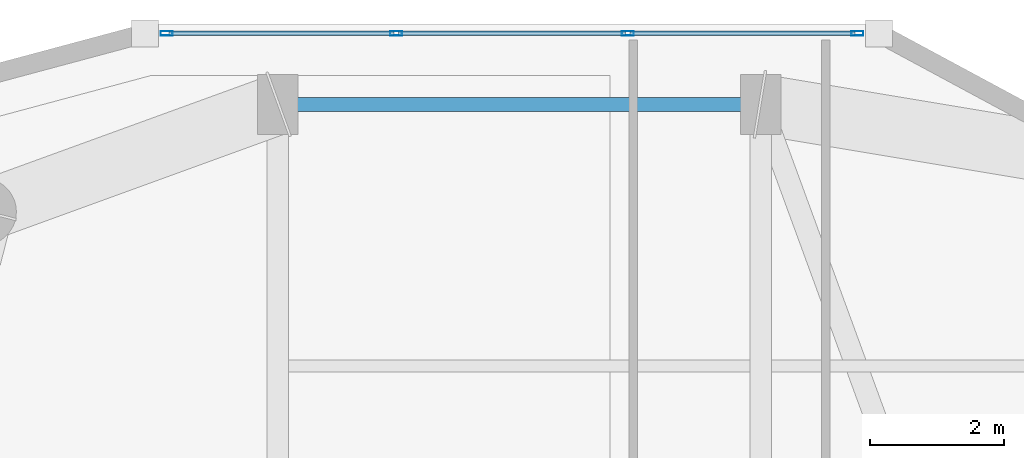
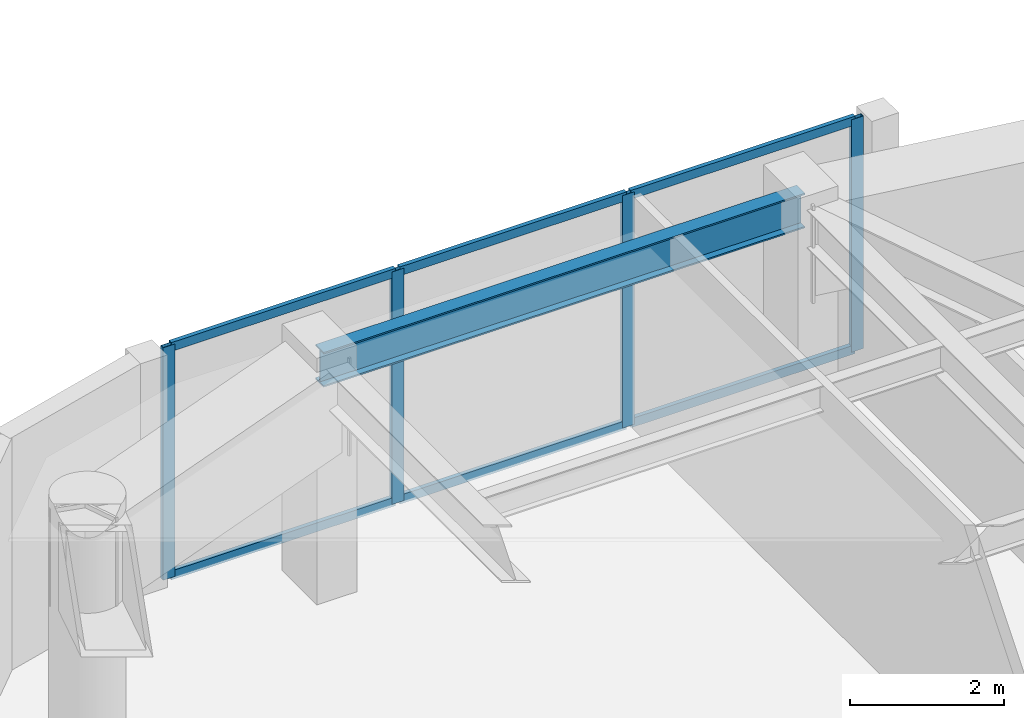
# One storey, part 10 of 21: 10 members, 1 beam, 1 element without a shape of its own.
"""IFC4 building model written with IfcOpenShell, lengths in metres."""

from ifc_helpers import new_model, si_unit, direction, frame, origin, origin_2d, place, context, subcontext, project, spatial, hollow_rectangle, i_section, extrude, material, layer, layer_set, material_profile, profile_set, type_object, element, aggregate, save


model = new_model("IFC4")

# Units and contexts
model_context = context("Model", 3, precision=1e-05, world=origin(), true_north=direction((0.0, 1.0)))
body_context = subcontext(model_context, "Body", "Model", "MODEL_VIEW")
ifc_project = project(units=[si_unit("LENGTHUNIT", "METRE"), si_unit("AREAUNIT", "SQUARE_METRE"), si_unit("VOLUMEUNIT", "CUBIC_METRE"), si_unit("PLANEANGLEUNIT", "RADIAN"), si_unit("MASSUNIT", "GRAM", prefix="KILO")], contexts=[model_context])

# Site, building, storey
site_placement = place(None, origin())
site = spatial("IfcSite", under=ifc_project, at=site_placement, CompositionType="ELEMENT")
building_placement = place(site_placement, origin())
building = spatial("IfcBuilding", under=site, at=building_placement, Name="Kiyonajd Concourse Tower", CompositionType="ELEMENT")
storey_placement = place(building_placement, frame((0.0, 0.0, 223.199951171875)))
storey = spatial("IfcBuildingStorey", under=building, at=storey_placement, Name="L56", CompositionType="ELEMENT", Elevation=223.199951171875)

# Beam
ifc_material_1 = material(Name="Steel ASTM A992 Grade 50", Category="steel")
ifc_material_profile_1 = material_profile(ifc_material_1, i_section(OverallWidth=0.214111328125, OverallDepth=0.549072265625, WebThickness=0.0146484375, FlangeThickness=0.023681640625, at=origin_2d()), Name="W530X138")
ifc_profile_set_1 = profile_set([ifc_material_profile_1], Name="Steel ASTM A992 Grade 50")
beam_type = type_object("IfcBeamType", Name="BM-SPAN-530A", PredefinedType="SPANDREL", material=ifc_profile_set_1)
beam_placement = place(storey_placement, frame((39.60009765625, 61.199951171875, 3.405517578125), z_axis=(-1.0, 0.0, 0.0), x_axis=(0.0, -1.0, 0.0)))
element("IfcBeam", 1, at=beam_placement, inside=storey, type_object=beam_type, Name="L56 Perimeter Bundled Tube Spandrel", PredefinedType="SPANDREL", context=body_context, shape_type="SweptSolid", body=[
    extrude(i_section(OverallWidth=0.214111328125, OverallDepth=0.549072265625, WebThickness=0.0146484375, FlangeThickness=0.023681640625, at=origin_2d()), origin(), (0.0, 0.0, 1.0), 7.2001953125),
])

# Curtain wall, members
ifc_material_2 = material(Name="Thermally Broken Anodised Aluminium", Category="aluminium")
ifc_layer = layer(ifc_material_2, 0.179931640625)
ifc_layer_set = layer_set([ifc_layer], Name="Thermally Broken Anodised Aluminium")
curtain_wall_type = type_object("IfcCurtainWallType", Name="CW-SYS-04", PredefinedType="NOTDEFINED", material=ifc_layer_set)
curtain_wall_placement = place(storey_placement, origin())
curtain_wall = element("IfcCurtainWall", 2, at=curtain_wall_placement, inside=storey, type_object=curtain_wall_type, Name="L56 Unitised Curtain Wall CW4", PredefinedType="NOTDEFINED")
ifc_material_profile_2 = material_profile(ifc_material_2, hollow_rectangle(XDim=0.06494140625, YDim=0.179931640625, WallThickness=0.00390625, at=origin_2d()), Name="MULL-65x180")
ifc_profile_set_2 = profile_set([ifc_material_profile_2], Name="Thermally Broken Anodised Aluminium")
member_type_1 = type_object("IfcMemberType", Name="MB-CW-MULL1", PredefinedType="MULLION", material=ifc_profile_set_2)
member_1_placement = place(storey_placement, frame((30.740966796875, 62.260009765625, 0.0), z_axis=(0.0, 0.0, 1.0), x_axis=(0.0, 1.0, 0.0)))
member_1 = element("IfcMember", 3, at=member_1_placement, type_object=member_type_1, Name="CW4 mullion 1", PredefinedType="MULLION", context=body_context, shape_type="SweptSolid", body=[
    extrude(hollow_rectangle(XDim=0.06494140625, YDim=0.179931640625, WallThickness=0.00390625, at=origin_2d()), origin(), (0.0, 0.0, 1.0), 3.679931640625),
])
member_2_placement = place(storey_placement, frame((34.163818359375, 62.260009765625, 0.0), z_axis=(0.0, 0.0, 1.0), x_axis=(0.0, 1.0, 0.0)))
member_2 = element("IfcMember", 4, at=member_2_placement, type_object=member_type_1, Name="CW4 mullion 2", PredefinedType="MULLION", context=body_context, shape_type="SweptSolid", body=[
    extrude(hollow_rectangle(XDim=0.06494140625, YDim=0.179931640625, WallThickness=0.00390625, at=origin_2d()), origin(), (0.0, 0.0, 1.0), 3.679931640625),
])
member_3_placement = place(storey_placement, frame((37.619384765625, 62.260009765625, 0.0), z_axis=(0.0, 0.0, 1.0), x_axis=(0.0, 1.0, 0.0)))
member_3 = element("IfcMember", 5, at=member_3_placement, type_object=member_type_1, Name="CW4 mullion 3", PredefinedType="MULLION", context=body_context, shape_type="SweptSolid", body=[
    extrude(hollow_rectangle(XDim=0.06494140625, YDim=0.179931640625, WallThickness=0.00390625, at=origin_2d()), origin(), (0.0, 0.0, 1.0), 3.679931640625),
])
member_4_placement = place(storey_placement, frame((41.042236328125, 62.260009765625, 0.0), z_axis=(0.0, 0.0, 1.0), x_axis=(0.0, 1.0, 0.0)))
member_4 = element("IfcMember", 6, at=member_4_placement, type_object=member_type_1, Name="CW4 mullion 4", PredefinedType="MULLION", context=body_context, shape_type="SweptSolid", body=[
    extrude(hollow_rectangle(XDim=0.06494140625, YDim=0.179931640625, WallThickness=0.00390625, at=origin_2d()), origin(), (0.0, 0.0, 1.0), 3.679931640625),
])
ifc_material_profile_3 = material_profile(ifc_material_2, hollow_rectangle(XDim=0.06494140625, YDim=0.139892578125, WallThickness=0.00390625, at=origin_2d()), Name="TRAN-65x140")
ifc_profile_set_3 = profile_set([ifc_material_profile_3], Name="Thermally Broken Anodised Aluminium")
member_type_2 = type_object("IfcMemberType", Name="MB-CW-TRAN1", PredefinedType="USERDEFINED", material=ifc_profile_set_3)
member_5_placement = place(storey_placement, frame((30.7734375, 62.260009765625, 0.032470703125), z_axis=(1.0, 0.0, 0.0), x_axis=(0.0, 1.0, 0.0)))
member_5 = element("IfcMember", 7, at=member_5_placement, type_object=member_type_2, Name="CW4 transom 1.1", ObjectType="TRANSOM", PredefinedType="USERDEFINED", context=body_context, shape_type="SweptSolid", body=[
    extrude(hollow_rectangle(XDim=0.06494140625, YDim=0.139892578125, WallThickness=0.00390625, at=origin_2d()), origin(), (0.0, 0.0, 1.0), 3.35791015625),
])
member_6_placement = place(storey_placement, frame((30.7734375, 62.260009765625, 3.6474609375), z_axis=(1.0, 0.0, 0.0), x_axis=(0.0, 1.0, 0.0)))
member_6 = element("IfcMember", 8, at=member_6_placement, type_object=member_type_2, Name="CW4 transom 1.2", ObjectType="TRANSOM", PredefinedType="USERDEFINED", context=body_context, shape_type="SweptSolid", body=[
    extrude(hollow_rectangle(XDim=0.06494140625, YDim=0.139892578125, WallThickness=0.00390625, at=origin_2d()), origin(), (0.0, 0.0, 1.0), 3.35791015625),
])
member_7_placement = place(storey_placement, frame((34.1962890625, 62.260009765625, 0.032470703125), z_axis=(1.0, 0.0, 0.0), x_axis=(0.0, 1.0, 0.0)))
member_7 = element("IfcMember", 9, at=member_7_placement, type_object=member_type_2, Name="CW4 transom 2.1", ObjectType="TRANSOM", PredefinedType="USERDEFINED", context=body_context, shape_type="SweptSolid", body=[
    extrude(hollow_rectangle(XDim=0.06494140625, YDim=0.139892578125, WallThickness=0.00390625, at=origin_2d()), origin(), (0.0, 0.0, 1.0), 3.390380859375),
])
member_8_placement = place(storey_placement, frame((34.1962890625, 62.260009765625, 3.6474609375), z_axis=(1.0, 0.0, 0.0), x_axis=(0.0, 1.0, 0.0)))
member_8 = element("IfcMember", 10, at=member_8_placement, type_object=member_type_2, Name="CW4 transom 2.2", ObjectType="TRANSOM", PredefinedType="USERDEFINED", context=body_context, shape_type="SweptSolid", body=[
    extrude(hollow_rectangle(XDim=0.06494140625, YDim=0.139892578125, WallThickness=0.00390625, at=origin_2d()), origin(), (0.0, 0.0, 1.0), 3.390380859375),
])
member_9_placement = place(storey_placement, frame((37.65185546875, 62.260009765625, 0.032470703125), z_axis=(1.0, 0.0, 0.0), x_axis=(0.0, 1.0, 0.0)))
member_9 = element("IfcMember", 11, at=member_9_placement, type_object=member_type_2, Name="CW4 transom 3.1", ObjectType="TRANSOM", PredefinedType="USERDEFINED", context=body_context, shape_type="SweptSolid", body=[
    extrude(hollow_rectangle(XDim=0.06494140625, YDim=0.139892578125, WallThickness=0.00390625, at=origin_2d()), origin(), (0.0, 0.0, 1.0), 3.35791015625),
])
member_10_placement = place(storey_placement, frame((37.65185546875, 62.260009765625, 3.6474609375), z_axis=(1.0, 0.0, 0.0), x_axis=(0.0, 1.0, 0.0)))
member_10 = element("IfcMember", 12, at=member_10_placement, type_object=member_type_2, Name="CW4 transom 3.2", ObjectType="TRANSOM", PredefinedType="USERDEFINED", context=body_context, shape_type="SweptSolid", body=[
    extrude(hollow_rectangle(XDim=0.06494140625, YDim=0.139892578125, WallThickness=0.00390625, at=origin_2d()), origin(), (0.0, 0.0, 1.0), 3.35791015625),
])
aggregate(curtain_wall, [member_1, member_2, member_3, member_4, member_5, member_6, member_7, member_8, member_9, member_10])

save(model, "model.ifc")
